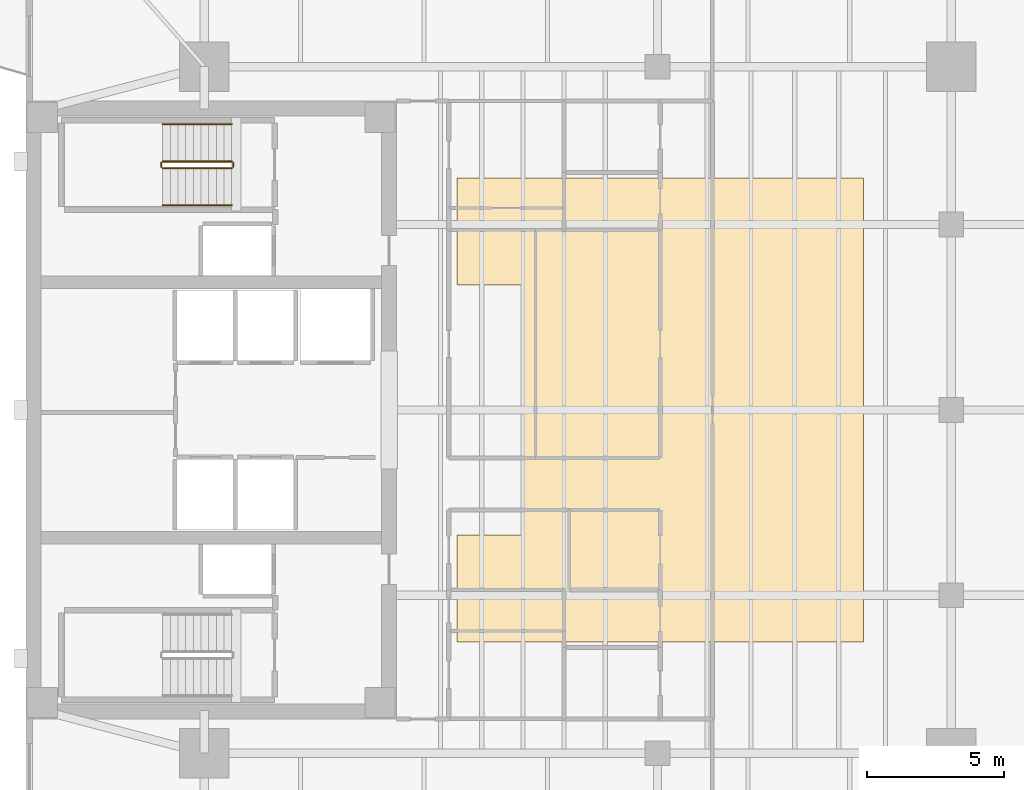
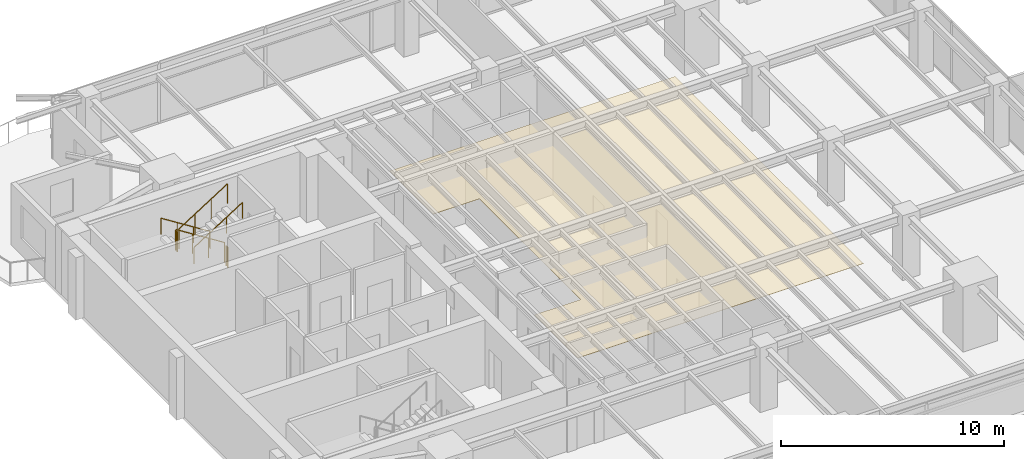
# One storey, part 13 of 14: 6 railings, 1 covering.
"""IFC4 building model written with IfcOpenShell, lengths in metres."""

from ifc_helpers import new_model, si_unit, direction, frame, origin, origin_2d, place, context, subcontext, project, spatial, polyline, circle, outline, extrude, material, layer, layer_set, type_object, element, save


model = new_model("IFC4")

# Units and contexts
model_context = context("Model", 3, precision=1e-05, world=origin(), true_north=direction((0.0, 1.0)))
body_context = subcontext(model_context, "Body", "Model", "MODEL_VIEW")
ifc_project = project(units=[si_unit("LENGTHUNIT", "METRE"), si_unit("AREAUNIT", "SQUARE_METRE"), si_unit("VOLUMEUNIT", "CUBIC_METRE"), si_unit("PLANEANGLEUNIT", "RADIAN"), si_unit("MASSUNIT", "GRAM", prefix="KILO")], contexts=[model_context])

# Site, building, storey
site_placement = place(None, origin())
site = spatial("IfcSite", under=ifc_project, at=site_placement, CompositionType="ELEMENT")
building_placement = place(site_placement, origin())
building = spatial("IfcBuilding", under=site, at=building_placement, Name="Kinhvarn Gate Tower", CompositionType="ELEMENT")
storey_placement = place(building_placement, frame((0.0, 0.0, 195.14990234375)))
storey = spatial("IfcBuildingStorey", under=building, at=storey_placement, Name="L51", CompositionType="ELEMENT", Elevation=195.14990234375)

# Covering
ifc_material_1 = material(Name="Mineral-fibre acoustic ceiling tile")
ifc_layer = layer(ifc_material_1, 0.02001953125)
ifc_layer_set = layer_set([ifc_layer], Name="Mineral-fibre acoustic ceiling tile")
covering_type = type_object("IfcCoveringType", Name="COV-CEIL-20", PredefinedType="CEILING", material=ifc_layer_set)
covering_placement = place(storey_placement, frame((0.0, 0.0, 2.650146484375)))
element("IfcCovering", 1, at=covering_placement, inside=storey, type_object=covering_type, Name="Suspended Acoustic Ceiling Tile (L51-1)", PredefinedType="CEILING", context=body_context, shape_type="SweptSolid", body=[
    extrude(outline(polyline([(35.0, 33.699951171875), (35.0, 16.800048828125), (20.199951171875, 16.800048828125), (20.199951171875, 20.699951171875), (22.60009765625, 20.699951171875), (22.60009765625, 29.800048828125), (20.199951171875, 29.800048828125), (20.199951171875, 33.699951171875), (35.0, 33.699951171875)])), origin(), (0.0, 0.0, 1.0), 0.02001953125),
])

# Railings
ifc_material_2 = material(Name="Steel S355", Category="steel")
railing_type_1 = type_object("IfcRailingType", Name="RL-ST-GRD", PredefinedType="BALUSTRADE", material=ifc_material_2)
railing_1_placement = place(storey_placement, frame((12.0, 34.300048828125, 0.177490234375)))
element("IfcRailing", 2, at=railing_1_placement, inside=storey, type_object=railing_type_1, Name="L51 ST2 stair guard 1", PredefinedType="BALUSTRADE", context=body_context, shape_type="SweptSolid", body=[
    extrude(circle(Radius=0.02392578125, at=origin_2d()), frame((0.0, 0.0, 1.076171875), z_axis=(-0.84456994832, 0.0, 0.535445237532), x_axis=(0.0, -1.0, 0.0)), (0.0, 0.0, 1.0), 2.98388671875),
    extrude(circle(Radius=0.02099609375, at=origin_2d()), origin(), (0.0, 0.0, 1.0), 1.052001953125),
    extrude(circle(Radius=0.02099609375, at=origin_2d()), frame((-0.840087890625, 0.0, 0.532470703125)), (0.0, 0.0, 1.0), 1.052001953125),
    extrude(circle(Radius=0.02099609375, at=origin_2d()), frame((-1.679931640625, 0.0, 1.065185546875)), (0.0, 0.0, 1.0), 1.052001953125),
    extrude(circle(Radius=0.02099609375, at=origin_2d()), frame((-2.52001953125, 0.0, 1.59765625)), (0.0, 0.0, 1.0), 1.052001953125),
])
railing_2_placement = place(storey_placement, frame((9.429931640625, 34.25, 1.775146484375)))
element("IfcRailing", 3, at=railing_2_placement, inside=storey, type_object=railing_type_1, Name="L51 ST2 stair guard 2", PredefinedType="BALUSTRADE", context=body_context, shape_type="SweptSolid", body=[
    extrude(circle(Radius=0.02392578125, at=origin_2d()), frame((0.0, 0.0, 1.076171875), z_axis=(0.0, -1.0, 0.0), x_axis=(1.0, 0.0, 0.0)), (0.0, 0.0, 1.0), 0.14990234375),
    extrude(circle(Radius=0.02099609375, at=origin_2d()), origin(), (0.0, 0.0, 1.0), 1.052001953125),
    extrude(circle(Radius=0.02099609375, at=origin_2d()), frame((0.0, -0.14990234375, 0.0)), (0.0, 0.0, 1.0), 1.052001953125),
])
railing_3_placement = place(storey_placement, frame((9.47998046875, 34.050048828125, 1.95263671875)))
element("IfcRailing", 4, at=railing_3_placement, inside=storey, type_object=railing_type_1, Name="L51 ST2 stair guard 3", PredefinedType="BALUSTRADE", context=body_context, shape_type="SweptSolid", body=[
    extrude(circle(Radius=0.02392578125, at=origin_2d()), frame((0.0, 0.0, 1.076171875), z_axis=(0.84460694969, 0.0, 0.535386869969), x_axis=(0.0, 1.0, 0.0)), (0.0, 0.0, 1.0), 2.983642578125),
    extrude(circle(Radius=0.02099609375, at=origin_2d()), origin(), (0.0, 0.0, 1.0), 1.052001953125),
    extrude(circle(Radius=0.02099609375, at=origin_2d()), frame((0.840087890625, 0.0, 0.532470703125)), (0.0, 0.0, 1.0), 1.052001953125),
    extrude(circle(Radius=0.02099609375, at=origin_2d()), frame((1.679931640625, 0.0, 1.06494140625)), (0.0, 0.0, 1.0), 1.052001953125),
    extrude(circle(Radius=0.02099609375, at=origin_2d()), frame((2.52001953125, 0.0, 1.597412109375)), (0.0, 0.0, 1.0), 1.052001953125),
])
railing_4_placement = place(storey_placement, frame((12.050048828125, 34.25, 0.0)))
element("IfcRailing", 5, at=railing_4_placement, inside=storey, type_object=railing_type_1, Name="L51 ST2 stair guard 4", PredefinedType="BALUSTRADE", context=body_context, shape_type="SweptSolid", body=[
    extrude(circle(Radius=0.02392578125, at=origin_2d()), frame((0.0, 0.0, 1.076171875), z_axis=(0.0, -1.0, 0.0), x_axis=(1.0, 0.0, 0.0)), (0.0, 0.0, 1.0), 0.14990234375),
    extrude(circle(Radius=0.02099609375, at=origin_2d()), origin(), (0.0, 0.0, 1.0), 1.052001953125),
    extrude(circle(Radius=0.02099609375, at=origin_2d()), frame((0.0, -0.14990234375, 0.0)), (0.0, 0.0, 1.0), 1.052001953125),
])
railing_type_2 = type_object("IfcRailingType", Name="RL-ST-HND", PredefinedType="HANDRAIL", material=ifc_material_2)
railing_5_placement = place(storey_placement, frame((12.0, 35.64990234375, 0.177490234375)))
element("IfcRailing", 6, at=railing_5_placement, inside=storey, type_object=railing_type_2, Name="L51 ST2 stair handrail 1", PredefinedType="HANDRAIL", context=body_context, shape_type="SweptSolid", body=[
    extrude(circle(Radius=0.02392578125, at=origin_2d()), frame((0.0, 0.0, 0.8759765625), z_axis=(-0.84456994832, 0.0, 0.535445237532), x_axis=(0.0, -1.0, 0.0)), (0.0, 0.0, 1.0), 2.98388671875),
    extrude(circle(Radius=0.02099609375, at=origin_2d()), origin(), (0.0, 0.0, 1.0), 0.851806640625),
    extrude(circle(Radius=0.02099609375, at=origin_2d()), frame((-0.840087890625, 0.0, 0.532470703125)), (0.0, 0.0, 1.0), 0.851806640625),
    extrude(circle(Radius=0.02099609375, at=origin_2d()), frame((-1.679931640625, 0.0, 1.065185546875)), (0.0, 0.0, 1.0), 0.851806640625),
    extrude(circle(Radius=0.02099609375, at=origin_2d()), frame((-2.52001953125, 0.0, 1.59765625)), (0.0, 0.0, 1.0), 0.851806640625),
])
railing_6_placement = place(storey_placement, frame((9.47998046875, 32.699951171875, 1.95263671875)))
element("IfcRailing", 7, at=railing_6_placement, inside=storey, type_object=railing_type_2, Name="L51 ST2 stair handrail 2", PredefinedType="HANDRAIL", context=body_context, shape_type="SweptSolid", body=[
    extrude(circle(Radius=0.02392578125, at=origin_2d()), frame((0.0, 0.0, 0.8759765625), z_axis=(0.84460694969, 0.0, 0.535386869969), x_axis=(0.0, 1.0, 0.0)), (0.0, 0.0, 1.0), 2.983642578125),
    extrude(circle(Radius=0.02099609375, at=origin_2d()), origin(), (0.0, 0.0, 1.0), 0.851806640625),
    extrude(circle(Radius=0.02099609375, at=origin_2d()), frame((0.840087890625, 0.0, 0.532470703125)), (0.0, 0.0, 1.0), 0.851806640625),
    extrude(circle(Radius=0.02099609375, at=origin_2d()), frame((1.679931640625, 0.0, 1.06494140625)), (0.0, 0.0, 1.0), 0.851806640625),
    extrude(circle(Radius=0.02099609375, at=origin_2d()), frame((2.52001953125, 0.0, 1.597412109375)), (0.0, 0.0, 1.0), 0.851806640625),
])

save(model, "model.ifc")
